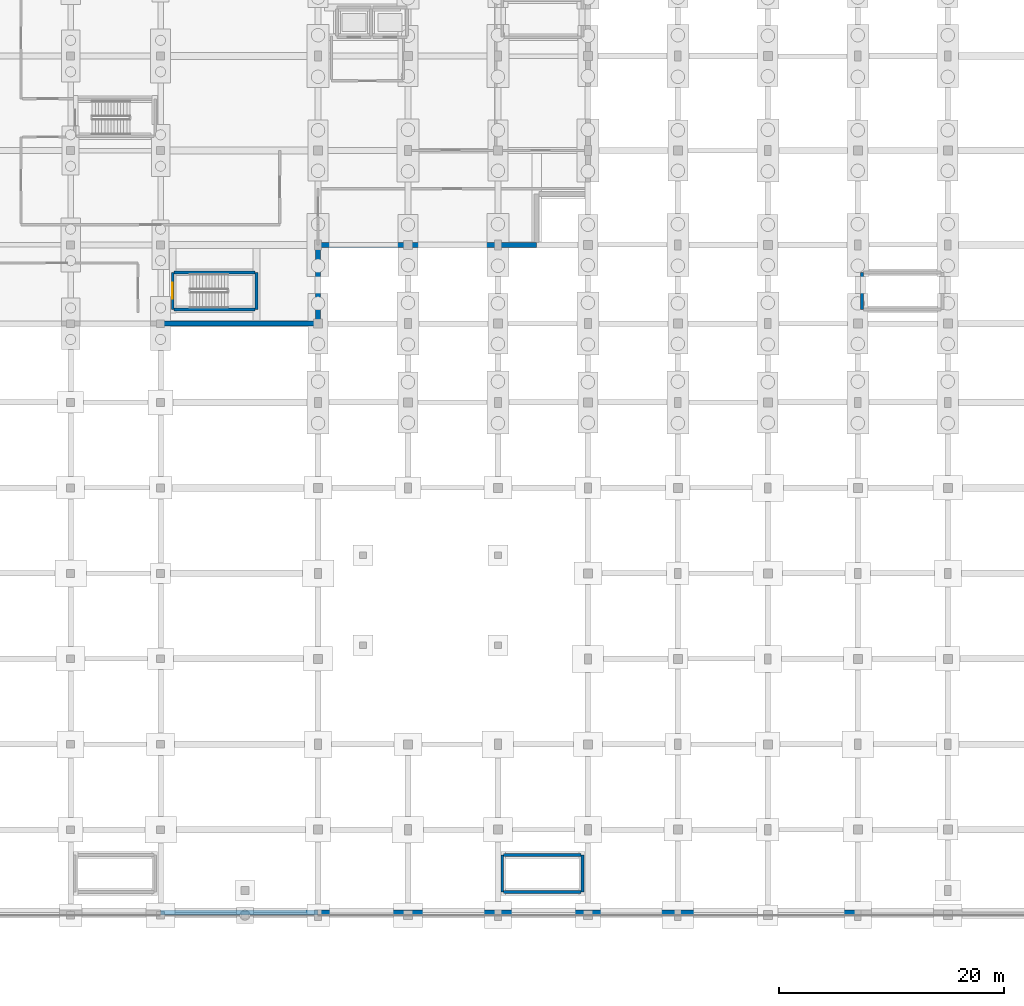
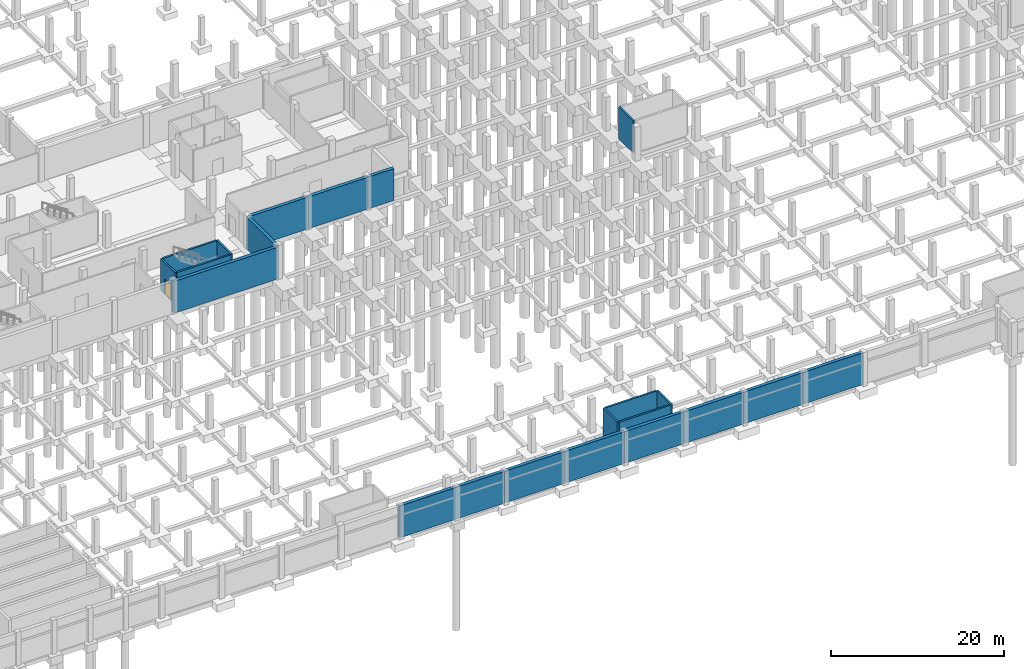
# One storey, part 33 of 50: 21 walls, 1 door, 1 opening.
"""IFC4 building model written with IfcOpenShell, lengths in metres."""

from ifc_helpers import new_model, si_unit, direction, frame, frame_2d, origin, place, context, subcontext, project, spatial, rectangle, extrude, material, layer, layer_set, type_object, element, fill, save


model = new_model("IFC4")

# Units and contexts
model_context = context("Model", 3, precision=1e-05, world=origin(), true_north=direction((0.0, 1.0)))
body_context = subcontext(model_context, "Body", "Model", "MODEL_VIEW")
ifc_project = project(units=[si_unit("LENGTHUNIT", "METRE"), si_unit("AREAUNIT", "SQUARE_METRE"), si_unit("VOLUMEUNIT", "CUBIC_METRE"), si_unit("PLANEANGLEUNIT", "RADIAN"), si_unit("MASSUNIT", "GRAM", prefix="KILO")], contexts=[model_context])

# Site, building, storey
site_placement = place(None, origin())
site = spatial("IfcSite", under=ifc_project, at=site_placement, CompositionType="ELEMENT")
building_placement = place(site_placement, origin())
building = spatial("IfcBuilding", under=site, at=building_placement, Name="Vekula Escarpment Museum", CompositionType="ELEMENT")
storey_placement = place(building_placement, frame((0.0, 0.0, -4.800048828125)))
storey = spatial("IfcBuildingStorey", under=building, at=storey_placement, Name="B1", CompositionType="ELEMENT", Elevation=-4.800048828125)

# Walls
ifc_material_1 = material(Name="Concrete C35/45", Category="concrete")
ifc_layer_1 = layer(ifc_material_1, 0.25)
ifc_layer_set_1 = layer_set([ifc_layer_1], Name="Concrete C35/45")
wall_type_1 = type_object("IfcWallType", Name="WL-CORE-250", PredefinedType="SHEAR", material=ifc_layer_set_1)
for number, where, z_axis, x_axis, name in (
    (1, (118.375, 53.875, 0.0), (0.0, 0.0, 1.0), (0.0, 1.0, 0.0), "Stair Sub-Plinth Wall ST-08 W"),
    (2, (86.375, 2.074951171875, 0.0), (0.0, 0.0, 1.0), (0.0, 1.0, 0.0), "Stair Sub-Plinth Wall ST-11 W"),
    (3, (93.52490234375, 2.074951171875, 0.0), (0.0, 0.0, 1.0), (0.0, 1.0, 0.0), "Stair Sub-Plinth Wall ST-11 E"),
):
    element("IfcWall", number, at=place(storey_placement, frame(where, z_axis=z_axis, x_axis=x_axis)), inside=storey, type_object=wall_type_1, Name=name, PredefinedType="SHEAR", context=body_context, shape_type="SweptSolid", body=[
        extrude(rectangle(XDim=3.2900390625, YDim=0.25, at=frame_2d((1.64501953125, 0.0))), origin(), (0.0, 0.0, 1.0), 4.5),
    ])
for number, where, z_axis, x_axis, name in (
    (4, (86.50390625, 2.074951171875, 0.0), (0.0, 0.0, 1.0), (1.0, 0.0, 0.0), "Stair Sub-Plinth Wall ST-11 S"),
    (5, (86.50390625, 5.364990234375, 0.0), (0.0, 0.0, 1.0), (1.0, 0.0, 0.0), "Stair Sub-Plinth Wall ST-11 N"),
):
    element("IfcWall", number, at=place(storey_placement, frame(where, z_axis=z_axis, x_axis=x_axis)), inside=storey, type_object=wall_type_1, Name=name, PredefinedType="SHEAR", context=body_context, shape_type="SweptSolid", body=[
        extrude(rectangle(XDim=6.89208984375, YDim=0.25, at=frame_2d((3.446044921875, 0.0))), origin(), (0.0, 0.0, 1.0), 4.5),
    ])

# Wall, opening, door
wall_1_placement = place(storey_placement, frame((57.074951171875, 53.875, 0.0), z_axis=(0.0, 0.0, 1.0), x_axis=(0.0, 1.0, 0.0)))
wall_1 = element("IfcWall", 6, at=wall_1_placement, inside=storey, type_object=wall_type_1, Name="Stair Core Wall ST-01 B1 W", PredefinedType="SHEAR", context=body_context, shape_type="SweptSolid", body=[
    extrude(rectangle(XDim=3.2900390625, YDim=0.25, at=frame_2d((1.64501953125, 0.0))), origin(), (0.0, 0.0, 1.0), 4.5),
])
opening_placement = place(wall_1_placement, frame((0.945068359375, 0.0, 0.0)))
opening = element("IfcOpeningElement", 7, at=opening_placement, cuts=wall_1, Name="Opening DR-FD60", PredefinedType="OPENING", context=body_context, shape_type="SweptSolid", body=[
    extrude(rectangle(XDim=1.39990234375, YDim=2.199951171875, at=frame_2d((0.699951171875, 1.10009765625))), frame((0.0, 0.135009765625, 0.0), z_axis=(0.0, -1.0, 0.0), x_axis=(1.0, 0.0, 0.0)), (0.0, 0.0, 1.0), 0.27001953125),
])
ifc_material_2 = material(Name="Fire-rated steel stair door", Category="steel")
door_type = type_object("IfcDoorType", Name="DR-STAIR-1400x2200", OperationType="NOTDEFINED", PredefinedType="DOOR", material=ifc_material_2)
door_placement = place(opening_placement, origin())
door = element("IfcDoor", 8, at=door_placement, inside=storey, type_object=door_type, Name="Protected Exit Stair Door ST-01 B1", OperationType="SINGLE_SWING_LEFT", OverallHeight=2.199951171875, OverallWidth=1.39990234375, PredefinedType="DOOR", context=body_context, shape_type="SweptSolid", body=[
    extrude(rectangle(XDim=1.39990234375, YDim=2.199951171875, at=frame_2d((0.699951171875, 1.10009765625))), frame((0.0, 0.02490234375, 0.0), z_axis=(0.0, -1.0, 0.0), x_axis=(1.0, 0.0, 0.0)), (0.0, 0.0, 1.0), 0.050048828125),
])
fill(opening, door)

# Walls
wall_2_placement = place(storey_placement, frame((64.52490234375, 53.875, 0.0), z_axis=(0.0, 0.0, 1.0), x_axis=(0.0, 1.0, 0.0)))
element("IfcWall", 9, at=wall_2_placement, inside=storey, type_object=wall_type_1, Name="Stair Core Wall ST-01 B1 E", PredefinedType="SHEAR", context=body_context, shape_type="SweptSolid", body=[
    extrude(rectangle(XDim=3.2900390625, YDim=0.25, at=frame_2d((1.64501953125, 0.0))), origin(), (0.0, 0.0, 1.0), 4.5),
])
for number, where, z_axis, x_axis, name in (
    (10, (57.2041015625, 53.875, 0.0), (0.0, 0.0, 1.0), (1.0, 0.0, 0.0), "Stair Core Wall ST-01 B1 S"),
    (11, (57.2041015625, 57.1650390625, 0.0), (0.0, 0.0, 1.0), (1.0, 0.0, 0.0), "Stair Core Wall ST-01 B1 N"),
):
    element("IfcWall", number, at=place(storey_placement, frame(where, z_axis=z_axis, x_axis=x_axis)), inside=storey, type_object=wall_type_1, Name=name, PredefinedType="SHEAR", context=body_context, shape_type="SweptSolid", body=[
        extrude(rectangle(XDim=7.19189453125, YDim=0.25, at=frame_2d((3.595947265625, 0.0))), origin(), (0.0, 0.0, 1.0), 4.5),
    ])
ifc_material_3 = material(Name="Inkisi arkosic sandstone masonry", Category="masonry")
ifc_layer_2 = layer(ifc_material_3, 0.449951171875)
ifc_layer_set_2 = layer_set([ifc_layer_2], Name="Inkisi arkosic sandstone masonry")
wall_type_2 = type_object("IfcWallType", Name="WL-PLN-450", PredefinedType="SOLIDWALL", material=ifc_layer_set_2)
wall_3_placement = place(storey_placement, frame((56.0, 0.22509765625, 0.0), z_axis=(0.0, 0.0, 1.0), x_axis=(1.0, 0.0, 0.0)))
element("IfcWall", 12, at=wall_3_placement, inside=storey, type_object=wall_type_2, Name="Sandstone Plinth Perimeter Wall 0010", PredefinedType="SOLIDWALL", context=body_context, shape_type="SweptSolid", body=[
    extrude(rectangle(XDim=14.0, YDim=0.449951171875, at=frame_2d((7.0, 0.0))), origin(), (0.0, 0.0, 1.0), 4.5),
])
for number, where, z_axis, x_axis, name in (
    (13, (70.0, 0.22509765625, 0.0), (0.0, 0.0, 1.0), (1.0, 0.0, 0.0), "Sandstone Plinth Perimeter Wall 0011"),
    (14, (78.0, 0.22509765625, 0.0), (0.0, 0.0, 1.0), (1.0, 0.0, 0.0), "Sandstone Plinth Perimeter Wall 0012"),
    (15, (86.0, 0.22509765625, 0.0), (0.0, 0.0, 1.0), (1.0, 0.0, 0.0), "Sandstone Plinth Perimeter Wall 0013"),
    (16, (94.0, 0.22509765625, 0.0), (0.0, 0.0, 1.0), (1.0, 0.0, 0.0), "Sandstone Plinth Perimeter Wall 0014"),
    (17, (102.0, 0.22509765625, 0.0), (0.0, 0.0, 1.0), (1.0, 0.0, 0.0), "Sandstone Plinth Perimeter Wall 0015"),
    (18, (110.0, 0.22509765625, 0.0), (0.0, 0.0, 1.0), (1.0, 0.0, 0.0), "Sandstone Plinth Perimeter Wall 0016"),
):
    element("IfcWall", number, at=place(storey_placement, frame(where, z_axis=z_axis, x_axis=x_axis)), inside=storey, type_object=wall_type_2, Name=name, PredefinedType="SOLIDWALL", context=body_context, shape_type="SweptSolid", body=[
        extrude(rectangle(XDim=8.0, YDim=0.449951171875, at=frame_2d((4.0, 0.0))), origin(), (0.0, 0.0, 1.0), 4.5),
    ])
ifc_material_4 = material(Name="Concrete C35/45", Category="concrete")
ifc_layer_3 = layer(ifc_material_4, 0.449951171875)
ifc_layer_set_3 = layer_set([ifc_layer_3], Name="Concrete C35/45")
wall_type_3 = type_object("IfcWallType", Name="WL-RET-450", PredefinedType="USERDEFINED", material=ifc_layer_set_3)
wall_4_placement = place(storey_placement, frame((70.0, 52.60009765625, 0.0), z_axis=(0.0, 0.0, 1.0), x_axis=(-1.0, 0.0, 0.0)))
element("IfcWall", 19, at=wall_4_placement, inside=storey, type_object=wall_type_3, Name="Exterior Wall WL-EXT-B1-0005", ObjectType="RETAINING WALL", PredefinedType="USERDEFINED", context=body_context, shape_type="SweptSolid", body=[
    extrude(rectangle(XDim=14.0, YDim=0.449951171875, at=frame_2d((7.0, 0.0))), origin(), (0.0, 0.0, 1.0), 4.5),
])
wall_5_placement = place(storey_placement, frame((70.0, 59.60009765625, 0.0), z_axis=(0.0, 0.0, 1.0), x_axis=(0.0, -1.0, 0.0)))
element("IfcWall", 20, at=wall_5_placement, inside=storey, type_object=wall_type_3, Name="Exterior Wall WL-EXT-B1-0006", ObjectType="RETAINING WALL", PredefinedType="USERDEFINED", context=body_context, shape_type="SweptSolid", body=[
    extrude(rectangle(XDim=6.77099609375, YDim=0.449951171875, at=frame_2d((3.385498046875, 0.0))), origin(), (0.0, 0.0, 1.0), 4.5),
])
wall_6_placement = place(storey_placement, frame((78.0, 59.60009765625, 0.0), z_axis=(0.0, 0.0, 1.0), x_axis=(-1.0, 0.0, 0.0)))
element("IfcWall", 21, at=wall_6_placement, inside=storey, type_object=wall_type_3, Name="Exterior Wall WL-EXT-B1-0007", ObjectType="RETAINING WALL", PredefinedType="USERDEFINED", context=body_context, shape_type="SweptSolid", body=[
    extrude(rectangle(XDim=7.77099609375, YDim=0.449951171875, at=frame_2d((3.885498046875, 0.0))), origin(), (0.0, 0.0, 1.0), 4.5),
])
wall_7_placement = place(storey_placement, frame((86.0, 59.60009765625, 0.0), z_axis=(0.0, 0.0, 1.0), x_axis=(-1.0, 0.0, 0.0)))
element("IfcWall", 22, at=wall_7_placement, inside=storey, type_object=wall_type_3, Name="Exterior Wall WL-EXT-B1-0008", ObjectType="RETAINING WALL", PredefinedType="USERDEFINED", context=body_context, shape_type="SweptSolid", body=[
    extrude(rectangle(XDim=8.0, YDim=0.449951171875, at=frame_2d((4.0, 0.0))), origin(), (0.0, 0.0, 1.0), 4.5),
])
wall_8_placement = place(storey_placement, frame((89.43994140625, 59.60009765625, 0.0), z_axis=(0.0, 0.0, 1.0), x_axis=(-1.0, 0.0, 0.0)))
element("IfcWall", 23, at=wall_8_placement, inside=storey, type_object=wall_type_3, Name="Exterior Wall WL-EXT-B1-0009", ObjectType="RETAINING WALL", PredefinedType="USERDEFINED", context=body_context, shape_type="SweptSolid", body=[
    extrude(rectangle(XDim=3.43994140625, YDim=0.449951171875, at=frame_2d((1.719970703125, 0.0))), origin(), (0.0, 0.0, 1.0), 4.5),
])

save(model, "model.ifc")
